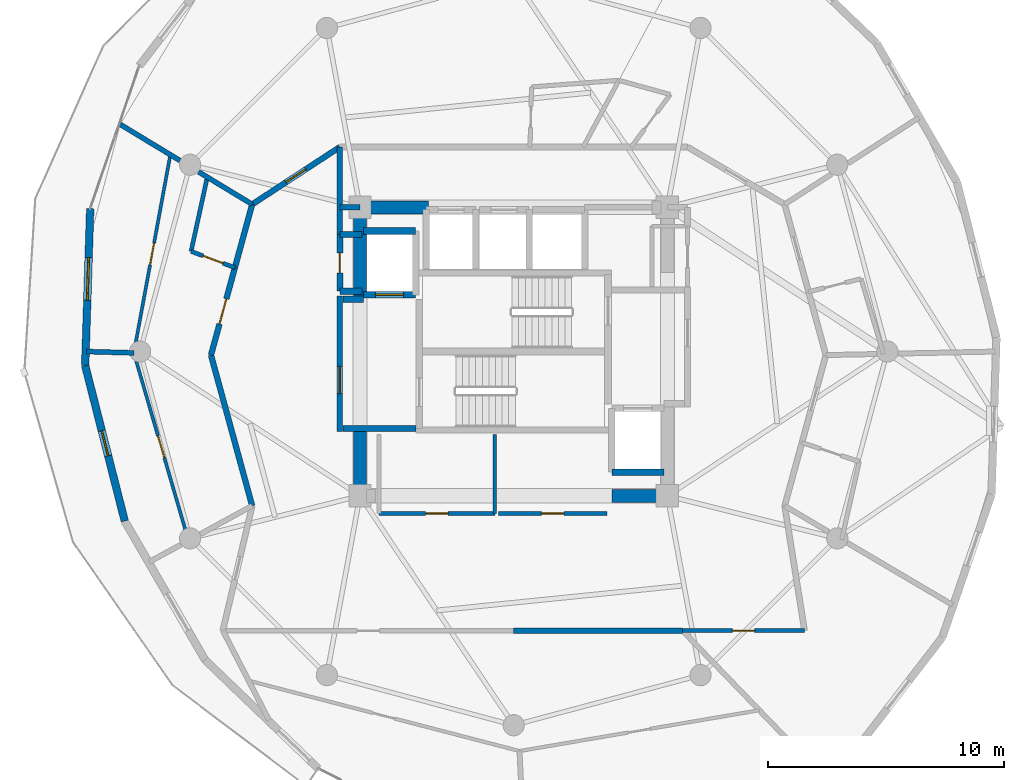
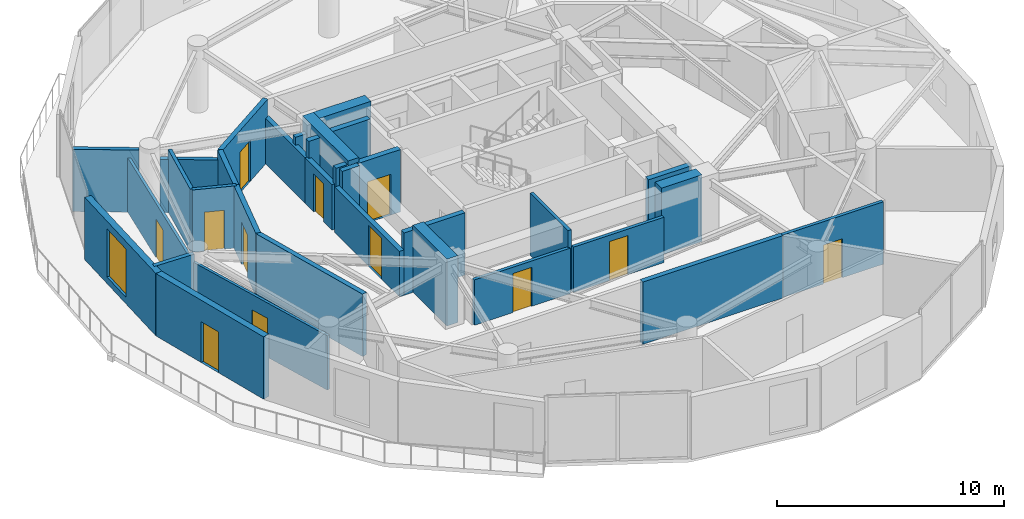
# One storey, part 15 of 19: 33 walls, 12 doors, 1 window, 13 openings.
"""IFC4 building model written with IfcOpenShell, lengths in metres."""

from ifc_helpers import new_model, si_unit, direction, frame, frame_2d, origin, place, context, subcontext, project, spatial, rectangle, extrude, material, layer, layer_set, type_object, element, fill, save


model = new_model("IFC4")

# Units and contexts
model_context = context("Model", 3, precision=1e-05, world=origin(), true_north=direction((0.0, 1.0)))
body_context = subcontext(model_context, "Body", "Model", "MODEL_VIEW")
ifc_project = project(units=[si_unit("LENGTHUNIT", "METRE"), si_unit("AREAUNIT", "SQUARE_METRE"), si_unit("VOLUMEUNIT", "CUBIC_METRE"), si_unit("PLANEANGLEUNIT", "RADIAN"), si_unit("MASSUNIT", "GRAM", prefix="KILO")], contexts=[model_context])

# Site, building, storey
site_placement = place(None, origin())
site = spatial("IfcSite", under=ifc_project, at=site_placement, CompositionType="ELEMENT")
building_placement = place(site_placement, origin())
building = spatial("IfcBuilding", under=site, at=building_placement, Name="Solvirekh Grand Hotel", CompositionType="ELEMENT")
storey_placement = place(building_placement, frame((0.0, 0.0, 212.800048828125)))
storey = spatial("IfcBuildingStorey", under=building, at=storey_placement, Name="L55", CompositionType="ELEMENT", Elevation=212.800048828125)

# Wall, opening, door
ifc_material_1 = material(Name="Concrete C40/50", Category="concrete")
ifc_layer_1 = layer(ifc_material_1, 0.280029296875)
ifc_layer_set_1 = layer_set([ifc_layer_1], Name="Concrete C40/50")
wall_type_1 = type_object("IfcWallType", Name="CoreShaftWall_RC280", PredefinedType="SOLIDWALL", material=ifc_layer_set_1)
wall_1_placement = place(storey_placement, frame((-6.35009765625, 2.39990234375, 0.0), z_axis=(0.0, 0.0, 1.0), x_axis=(1.0, 0.0, 0.0)))
wall_1 = element("IfcWall", 1, at=wall_1_placement, inside=storey, type_object=wall_type_1, Name="L55 FL-1 hoistway S wall", PredefinedType="SOLIDWALL", context=body_context, shape_type="SweptSolid", body=[
    extrude(rectangle(XDim=2.2001953125, YDim=0.280029296875, at=frame_2d((1.10009765625, 0.0))), origin(), (0.0, 0.0, 1.0), 3.35986328125),
])
opening_1_placement = place(wall_1_placement, frame((0.5, 0.0, 0.0)))
opening_1 = element("IfcOpeningElement", 2, at=opening_1_placement, cuts=wall_1, Name="Opening LD02", PredefinedType="OPENING", context=body_context, shape_type="SweptSolid", body=[
    extrude(rectangle(XDim=1.199951171875, YDim=2.199951171875, at=frame_2d((0.60009765625, 1.10009765625))), frame((0.0, 0.14990234375, 0.0), z_axis=(0.0, -1.0, 0.0), x_axis=(1.0, 0.0, 0.0)), (0.0, 0.0, 1.0), 0.300048828125),
])
ifc_material_2 = material(Name="Fire-Rated Steel Door Assembly", Category="steel")
door_type_1 = type_object("IfcDoorType", Name="Door_LiftFF_1200X2200", OperationType="SLIDING_TO_LEFT", PredefinedType="DOOR", material=ifc_material_2)
door_1_placement = place(opening_1_placement, origin())
door_1 = element("IfcDoor", 3, at=door_1_placement, inside=storey, type_object=door_type_1, Name="L55 FL-1 sliding lift landing door", OperationType="SLIDING_TO_LEFT", OverallHeight=2.199951171875, OverallWidth=1.199951171875, PredefinedType="DOOR", context=body_context, shape_type="SweptSolid", body=[
    extrude(rectangle(XDim=1.199951171875, YDim=2.199951171875, at=frame_2d((0.60009765625, 1.10009765625))), frame((0.0, 0.02490234375, 0.0), z_axis=(0.0, -1.0, 0.0), x_axis=(1.0, 0.0, 0.0)), (0.0, 0.0, 1.0), 0.050048828125),
])
fill(opening_1, door_1)

# Walls
for number, where, z_axis, x_axis, name in (
    (4, (-4.14990234375, 5.10009765625, 0.0), (0.0, 0.0, 1.0), (-1.0, 0.0, 0.0), "L55 FL-1 hoistway N wall"),
    (5, (4.14990234375, -5.10009765625, 0.0), (0.0, 0.0, 1.0), (1.0, 0.0, 0.0), "L55 FL-2 hoistway S wall"),
):
    element("IfcWall", number, at=place(storey_placement, frame(where, z_axis=z_axis, x_axis=x_axis)), inside=storey, type_object=wall_type_1, Name=name, PredefinedType="SOLIDWALL", context=body_context, shape_type="SweptSolid", body=[
        extrude(rectangle(XDim=2.2001953125, YDim=0.280029296875, at=frame_2d((1.10009765625, 0.0))), origin(), (0.0, 0.0, 1.0), 3.35986328125),
    ])
ifc_material_3 = material(Name="Concrete C50/60", Category="concrete")
ifc_layer_2 = layer(ifc_material_3, 0.550048828125)
ifc_layer_set_2 = layer_set([ifc_layer_2], Name="Concrete C50/60")
wall_type_2 = type_object("IfcWallType", Name="CoreWall_RC550", PredefinedType="SHEAR", material=ifc_layer_set_2)
wall_2_placement = place(storey_placement, frame((4.14990234375, -6.10009765625, 0.0), z_axis=(0.0, 0.0, 1.0), x_axis=(1.0, 0.0, 0.0)))
element("IfcWall", 6, at=wall_2_placement, inside=storey, type_object=wall_type_2, Name="L55 core corner shear wall SE-S", PredefinedType="SHEAR", context=body_context, shape_type="SweptSolid", body=[
    extrude(rectangle(XDim=2.0751953125, YDim=0.550048828125, at=frame_2d((1.03759765625, 0.0))), origin(), (0.0, 0.0, 1.0), 3.599853515625),
])
wall_3_placement = place(storey_placement, frame((-6.22509765625, 6.10009765625, 0.0), z_axis=(0.0, 0.0, 1.0), x_axis=(1.0, 0.0, 0.0)))
element("IfcWall", 7, at=wall_3_placement, inside=storey, type_object=wall_type_2, Name="L55 core corner shear wall NW-N", PredefinedType="SHEAR", context=body_context, shape_type="SweptSolid", body=[
    extrude(rectangle(XDim=2.625, YDim=0.550048828125, at=frame_2d((1.3125, 0.0))), origin(), (0.0, 0.0, 1.0), 3.599853515625),
])
wall_4_placement = place(storey_placement, frame((-6.5, 2.35009765625, 0.0), z_axis=(0.0, 0.0, 1.0), x_axis=(0.0, 1.0, 0.0)))
element("IfcWall", 8, at=wall_4_placement, inside=storey, type_object=wall_type_2, Name="L55 core corner shear wall WN-W", PredefinedType="SHEAR", context=body_context, shape_type="SweptSolid", body=[
    extrude(rectangle(XDim=4.02490234375, YDim=0.550048828125, at=frame_2d((2.012451171875, 0.0))), origin(), (0.0, 0.0, 1.0), 3.599853515625),
])
wall_5_placement = place(storey_placement, frame((-6.5, -6.375, 0.0), z_axis=(0.0, 0.0, 1.0), x_axis=(0.0, 1.0, 0.0)))
element("IfcWall", 9, at=wall_5_placement, inside=storey, type_object=wall_type_2, Name="L55 core corner shear wall WS-W", PredefinedType="SHEAR", context=body_context, shape_type="SweptSolid", body=[
    extrude(rectangle(XDim=3.02490234375, YDim=0.550048828125, at=frame_2d((1.512451171875, 0.0))), origin(), (0.0, 0.0, 1.0), 3.599853515625),
])

# Wall, opening, window
ifc_material_4 = material(Name="Precast concrete C45/55", Category="concrete")
ifc_layer_3 = layer(ifc_material_4, 0.320068359375)
ifc_layer_set_3 = layer_set([ifc_layer_3], Name="Precast concrete C45/55")
wall_type_3 = type_object("IfcWallType", Name="ExtLobbyWall_RC320", PredefinedType="SOLIDWALL", material=ifc_layer_set_3)
wall_6_placement = place(storey_placement, frame((-18.1201171875, -0.591064453125, 0.0), z_axis=(0.0, 0.0, 1.0), x_axis=(0.031968634483, 0.999488872579, 0.0)))
wall_6 = element("IfcWall", 10, at=wall_6_placement, inside=storey, type_object=wall_type_3, Name="L55 exterior structural wall chord 14", PredefinedType="SOLIDWALL", context=body_context, shape_type="SweptSolid", body=[
    extrude(rectangle(XDim=6.636474609375, YDim=0.320068359375, at=frame_2d((3.318359375, 0.0))), origin(), (0.0, 0.0, 1.0), 3.35986328125),
])
opening_2_placement = place(wall_6_placement, frame((2.763916015625, 0.0, 0.35009765625)))
opening_2 = element("IfcOpeningElement", 11, at=opening_2_placement, cuts=wall_6, Name="Opening W02", PredefinedType="OPENING", context=body_context, shape_type="SweptSolid", body=[
    extrude(rectangle(XDim=1.800048828125, YDim=2.60009765625, at=frame_2d((0.89990234375, 1.300048828125))), frame((0.0, 0.169921875, 0.0), z_axis=(0.0, -1.0, 0.0), x_axis=(1.0, 0.0, 0.0)), (0.0, 0.0, 1.0), 0.340087890625),
])
ifc_material_5 = material(Name="Low-E Tinted Bronze Laminated Glass", Category="aluminium")
window_type = type_object("IfcWindowType", Name="Win_LobbyExt_1800X2600", PartitioningType="SINGLE_PANEL", PredefinedType="WINDOW", material=ifc_material_5)
window_placement = place(opening_2_placement, origin())
window = element("IfcWindow", 12, at=window_placement, inside=storey, type_object=window_type, Name="L55 panoramic bronze-framed window 14", OverallHeight=2.60009765625, OverallWidth=1.800048828125, PartitioningType="SINGLE_PANEL", PredefinedType="WINDOW", context=body_context, shape_type="SweptSolid", body=[
    extrude(rectangle(XDim=1.800048828125, YDim=2.60009765625, at=frame_2d((0.89990234375, 1.300048828125))), frame((0.0, 0.030029296875, 0.0), z_axis=(0.0, -1.0, 0.0), x_axis=(1.0, 0.0, 0.0)), (0.0, 0.0, 1.0), 0.06005859375),
])
fill(opening_2, window)

# Wall, opening, door
wall_7_placement = place(storey_placement, frame((-16.447021484375, -7.1669921875, 0.0), z_axis=(0.0, 0.0, 1.0), x_axis=(-0.246571763235, 0.969124535638, 0.0)))
wall_7 = element("IfcWall", 13, at=wall_7_placement, inside=storey, type_object=wall_type_3, Name="L55 exterior structural wall chord 15", PredefinedType="SOLIDWALL", context=body_context, shape_type="SweptSolid", body=[
    extrude(rectangle(XDim=6.785400390625, YDim=0.320068359375, at=frame_2d((3.392578125, 0.0))), origin(), (0.0, 0.0, 1.0), 3.35986328125),
])
opening_3_placement = place(wall_7_placement, frame((2.843017578125, 0.0, 0.0)))
opening_3 = element("IfcOpeningElement", 14, at=opening_3_placement, cuts=wall_7, Name="Opening D03", PredefinedType="OPENING", context=body_context, shape_type="SweptSolid", body=[
    extrude(rectangle(XDim=1.10009765625, YDim=2.199951171875, at=frame_2d((0.550048828125, 1.10009765625))), frame((0.0, 0.169921875, 0.0), z_axis=(0.0, -1.0, 0.0), x_axis=(1.0, 0.0, 0.0)), (0.0, 0.0, 1.0), 0.340087890625),
])
ifc_material_6 = material(Name="Anodized Bronze Aluminium 6063-T6", Category="aluminium")
door_type_2 = type_object("IfcDoorType", Name="Door_ExtBalcony_1100X2200", OperationType="NOTDEFINED", PredefinedType="DOOR", material=ifc_material_6)
door_2_placement = place(opening_3_placement, origin())
door_2 = element("IfcDoor", 15, at=door_2_placement, inside=storey, type_object=door_type_2, Name="L55 Crescent balcony glazed door (15)", OperationType="SINGLE_SWING_LEFT", OverallHeight=2.199951171875, OverallWidth=1.10009765625, PredefinedType="DOOR", context=body_context, shape_type="SweptSolid", body=[
    extrude(rectangle(XDim=1.10009765625, YDim=2.199951171875, at=frame_2d((0.550048828125, 1.10009765625))), frame((0.0, 0.02490234375, 0.0), z_axis=(0.0, -1.0, 0.0), x_axis=(1.0, 0.0, 0.0)), (0.0, 0.0, 1.0), 0.050048828125),
])
fill(opening_3, door_2)

ifc_material_7 = material(Name="Acoustic Gypsum Partition Assembly")
ifc_layer_4 = layer(ifc_material_7, 0.1650390625)
ifc_layer_set_4 = layer_set([ifc_layer_4], Name="Acoustic Gypsum Partition Assembly")
wall_type_4 = type_object("IfcWallType", Name="Part_BOH_165", PredefinedType="PARTITIONING", material=ifc_layer_set_4)
wall_8_placement = place(storey_placement, frame((-5.699951171875, -6.85009765625, 0.0), z_axis=(0.0, 0.0, 1.0), x_axis=(1.0, 0.0, 0.0)))
wall_8 = element("IfcWall", 16, at=wall_8_placement, inside=storey, type_object=wall_type_4, Name="L55 High-Zone Housekeeping Linen Room wall 1", PredefinedType="PARTITIONING", context=body_context, shape_type="SweptSolid", body=[
    extrude(rectangle(XDim=4.89990234375, YDim=0.1650390625, at=frame_2d((2.449951171875, 0.0))), origin(), (0.0, 0.0, 1.0), 2.445068359375),
])
opening_4_placement = place(wall_8_placement, frame((1.97509765625, 0.0, 0.0)))
opening_4 = element("IfcOpeningElement", 17, at=opening_4_placement, cuts=wall_8, Name="Opening D10", PredefinedType="OPENING", context=body_context, shape_type="SweptSolid", body=[
    extrude(rectangle(XDim=0.949951171875, YDim=2.10009765625, at=frame_2d((0.47509765625, 1.050048828125))), frame((0.0, 0.092529296875, 0.0), z_axis=(0.0, -1.0, 0.0), x_axis=(1.0, 0.0, 0.0)), (0.0, 0.0, 1.0), 0.18505859375),
])
door_type_3 = type_object("IfcDoorType", Name="Door_RoomInt_950X2100", OperationType="NOTDEFINED", PredefinedType="DOOR", material=ifc_material_6)
door_3_placement = place(opening_4_placement, origin())
door_3 = element("IfcDoor", 18, at=door_3_placement, inside=storey, type_object=door_type_3, Name="L55 High-Zone Housekeeping Linen Room door", OperationType="SINGLE_SWING_RIGHT", OverallHeight=2.10009765625, OverallWidth=0.949951171875, PredefinedType="DOOR", context=body_context, shape_type="SweptSolid", body=[
    extrude(rectangle(XDim=0.949951171875, YDim=2.10009765625, at=frame_2d((0.47509765625, 1.050048828125))), frame((0.0, 0.02490234375, 0.0), z_axis=(0.0, -1.0, 0.0), x_axis=(1.0, 0.0, 0.0)), (0.0, 0.0, 1.0), 0.050048828125),
])
fill(opening_4, door_3)

# Wall
wall_9_placement = place(storey_placement, frame((-0.800048828125, -6.85009765625, 0.0), z_axis=(0.0, 0.0, 1.0), x_axis=(0.0, 1.0, 0.0)))
element("IfcWall", 19, at=wall_9_placement, inside=storey, type_object=wall_type_4, Name="L55 High-Zone Housekeeping Linen Room wall 2", PredefinedType="PARTITIONING", context=body_context, shape_type="SweptSolid", body=[
    extrude(rectangle(XDim=3.35009765625, YDim=0.1650390625, at=frame_2d((1.675048828125, 0.0))), origin(), (0.0, 0.0, 1.0), 3.35986328125),
])

# Wall, opening, door
wall_10_placement = place(storey_placement, frame((-0.64990234375, -6.85009765625, 0.0), z_axis=(0.0, 0.0, 1.0), x_axis=(1.0, 0.0, 0.0)))
wall_10 = element("IfcWall", 20, at=wall_10_placement, inside=storey, type_object=wall_type_4, Name="L55 Butler Valet Steward Room wall 1", PredefinedType="PARTITIONING", context=body_context, shape_type="SweptSolid", body=[
    extrude(rectangle(XDim=4.599853515625, YDim=0.1650390625, at=frame_2d((2.2998046875, 0.0))), origin(), (0.0, 0.0, 1.0), 2.445068359375),
])
opening_5_placement = place(wall_10_placement, frame((1.824951171875, 0.0, 0.0)))
opening_5 = element("IfcOpeningElement", 21, at=opening_5_placement, cuts=wall_10, Name="Opening D10", PredefinedType="OPENING", context=body_context, shape_type="SweptSolid", body=[
    extrude(rectangle(XDim=0.949951171875, YDim=2.10009765625, at=frame_2d((0.47509765625, 1.050048828125))), frame((0.0, 0.092529296875, 0.0), z_axis=(0.0, -1.0, 0.0), x_axis=(1.0, 0.0, 0.0)), (0.0, 0.0, 1.0), 0.18505859375),
])
door_4_placement = place(opening_5_placement, origin())
door_4 = element("IfcDoor", 22, at=door_4_placement, inside=storey, type_object=door_type_3, Name="L55 Butler Valet Steward Room door", OperationType="SINGLE_SWING_LEFT", OverallHeight=2.10009765625, OverallWidth=0.949951171875, PredefinedType="DOOR", context=body_context, shape_type="SweptSolid", body=[
    extrude(rectangle(XDim=0.949951171875, YDim=2.10009765625, at=frame_2d((0.47509765625, 1.050048828125))), frame((0.0, 0.02490234375, 0.0), z_axis=(0.0, -1.0, 0.0), x_axis=(1.0, 0.0, 0.0)), (0.0, 0.0, 1.0), 0.050048828125),
])
fill(opening_5, door_4)

wall_11_placement = place(storey_placement, frame((7.134033203125, -11.800048828125, 0.0), z_axis=(0.0, 0.0, 1.0), x_axis=(1.0, 0.0, 0.0)))
wall_11 = element("IfcWall", 23, at=wall_11_placement, inside=storey, type_object=wall_type_4, Name="L55 L55 Butler Valet & Linen Steward Room entrance wall", PredefinedType="PARTITIONING", context=body_context, shape_type="SweptSolid", body=[
    extrude(rectangle(XDim=5.166015625, YDim=0.1650390625, at=frame_2d((2.5830078125, 0.0))), origin(), (0.0, 0.0, 1.0), 3.35986328125),
])
opening_6_placement = place(wall_11_placement, frame((2.10791015625, 0.0, 0.0)))
opening_6 = element("IfcOpeningElement", 24, at=opening_6_placement, cuts=wall_11, Name="Opening D10", PredefinedType="OPENING", context=body_context, shape_type="SweptSolid", body=[
    extrude(rectangle(XDim=0.949951171875, YDim=2.10009765625, at=frame_2d((0.47509765625, 1.050048828125))), frame((0.0, 0.092529296875, 0.0), z_axis=(0.0, -1.0, 0.0), x_axis=(1.0, 0.0, 0.0)), (0.0, 0.0, 1.0), 0.18505859375),
])
door_5_placement = place(opening_6_placement, origin())
door_5 = element("IfcDoor", 25, at=door_5_placement, inside=storey, type_object=door_type_3, Name="L55 L55 Butler Valet & Linen Steward Room entrance door", OperationType="SINGLE_SWING_RIGHT", OverallHeight=2.10009765625, OverallWidth=0.949951171875, PredefinedType="DOOR", context=body_context, shape_type="SweptSolid", body=[
    extrude(rectangle(XDim=0.949951171875, YDim=2.10009765625, at=frame_2d((0.47509765625, 1.050048828125))), frame((0.0, 0.02490234375, 0.0), z_axis=(0.0, -1.0, 0.0), x_axis=(1.0, 0.0, 0.0)), (0.0, 0.0, 1.0), 0.050048828125),
])
fill(opening_6, door_5)

ifc_layer_5 = layer(ifc_material_7, 0.239990234375)
ifc_layer_set_5 = layer_set([ifc_layer_5], Name="Acoustic Gypsum Partition Assembly")
wall_type_5 = type_object("IfcWallType", Name="Part_Corridor_240", PredefinedType="PARTITIONING", material=ifc_layer_set_5)
wall_12_placement = place(storey_placement, frame((-7.35009765625, -3.3798828125, 0.0), z_axis=(0.0, 0.0, 1.0), x_axis=(0.0, 1.0, 0.0)))
wall_12 = element("IfcWall", 26, at=wall_12_placement, inside=storey, type_object=wall_type_5, Name="L55 west firefighting lobby smoke screen wall", PredefinedType="PARTITIONING", context=body_context, shape_type="SweptSolid", body=[
    extrude(rectangle(XDim=5.719970703125, YDim=0.239990234375, at=frame_2d((2.85986328125, 0.0))), origin(), (0.0, 0.0, 1.0), 2.445068359375),
])
opening_7_placement = place(wall_12_placement, frame((1.59912109375, 0.0, 0.0)))
opening_7 = element("IfcOpeningElement", 27, at=opening_7_placement, cuts=wall_12, Name="Opening D06", PredefinedType="OPENING", context=body_context, shape_type="SweptSolid", body=[
    extrude(rectangle(XDim=1.14990234375, YDim=2.199951171875, at=frame_2d((0.574951171875, 1.10009765625))), frame((0.0, 0.1298828125, 0.0), z_axis=(0.0, -1.0, 0.0), x_axis=(1.0, 0.0, 0.0)), (0.0, 0.0, 1.0), 0.260009765625),
])
door_type_4 = type_object("IfcDoorType", Name="Door_FFLobby_1150X2200", OperationType="NOTDEFINED", PredefinedType="DOOR", material=ifc_material_2)
door_6_placement = place(opening_7_placement, origin())
door_6 = element("IfcDoor", 28, at=door_6_placement, inside=storey, type_object=door_type_4, Name="L55 west firefighting lobby smoke door", OperationType="SINGLE_SWING_RIGHT", OverallHeight=2.199951171875, OverallWidth=1.14990234375, PredefinedType="DOOR", context=body_context, shape_type="SweptSolid", body=[
    extrude(rectangle(XDim=1.14990234375, YDim=2.199951171875, at=frame_2d((0.574951171875, 1.10009765625))), frame((0.0, 0.02490234375, 0.0), z_axis=(0.0, -1.0, 0.0), x_axis=(1.0, 0.0, 0.0)), (0.0, 0.0, 1.0), 0.050048828125),
])
fill(opening_7, door_6)

# Walls
wall_13_placement = place(storey_placement, frame((-7.35009765625, 4.949951171875, 0.0), z_axis=(0.0, 0.0, 1.0), x_axis=(0.0, 1.0, 0.0)))
element("IfcWall", 29, at=wall_13_placement, inside=storey, type_object=wall_type_5, Name="L55 north lift lobby west wall", PredefinedType="PARTITIONING", context=body_context, shape_type="SweptSolid", body=[
    extrude(rectangle(XDim=3.699951171875, YDim=0.239990234375, at=frame_2d((1.85009765625, 0.0))), origin(), (0.0, 0.0, 1.0), 2.445068359375),
])
wall_14_placement = place(storey_placement, frame((-7.35009765625, 6.10009765625, 0.0), z_axis=(0.0, 0.0, 1.0), x_axis=(1.0, 0.0, 0.0)))
element("IfcWall", 30, at=wall_14_placement, inside=storey, type_object=wall_type_5, Name="L55 NW core corner closure wall", PredefinedType="PARTITIONING", context=body_context, shape_type="SweptSolid", body=[
    extrude(rectangle(XDim=0.85009765625, YDim=0.239990234375, at=frame_2d((0.425048828125, 0.0))), origin(), (0.0, 0.0, 1.0), 2.8759765625),
])

# Wall, opening, door
wall_15_placement = place(storey_placement, frame((-11.05810546875, 6.22509765625, 0.0), z_axis=(0.0, 0.0, 1.0), x_axis=(0.83693466485, 0.547302810857, 0.0)))
wall_15 = element("IfcWall", 31, at=wall_15_placement, inside=storey, type_object=wall_type_5, Name="L55 Panorama Suite 5702 entrance wall", PredefinedType="PARTITIONING", context=body_context, shape_type="SweptSolid", body=[
    extrude(rectangle(XDim=4.430419921875, YDim=0.239990234375, at=frame_2d((2.21533203125, 0.0))), origin(), (0.0, 0.0, 1.0), 3.35986328125),
])
opening_8_placement = place(wall_15_placement, frame((1.715087890625, 0.0, 0.0)))
opening_8 = element("IfcOpeningElement", 32, at=opening_8_placement, cuts=wall_15, Name="Opening D07", PredefinedType="OPENING", context=body_context, shape_type="SweptSolid", body=[
    extrude(rectangle(XDim=1.0, YDim=2.199951171875, at=frame_2d((0.5, 1.10009765625))), frame((0.0, 0.1298828125, 0.0), z_axis=(0.0, -1.0, 0.0), x_axis=(1.0, 0.0, 0.0)), (0.0, 0.0, 1.0), 0.260009765625),
])
door_type_5 = type_object("IfcDoorType", Name="Door_GuestEntry_1000X2200", OperationType="NOTDEFINED", PredefinedType="DOOR", material=ifc_material_2)
door_7_placement = place(opening_8_placement, origin())
door_7 = element("IfcDoor", 33, at=door_7_placement, inside=storey, type_object=door_type_5, Name="L55 Panorama Suite 5702 entrance door", OperationType="SINGLE_SWING_LEFT", OverallHeight=2.199951171875, OverallWidth=1.0, PredefinedType="DOOR", context=body_context, shape_type="SweptSolid", body=[
    extrude(rectangle(XDim=1.0, YDim=2.199951171875, at=frame_2d((0.5, 1.10009765625))), frame((0.0, 0.02490234375, 0.0), z_axis=(0.0, -1.0, 0.0), x_axis=(1.0, 0.0, 0.0)), (0.0, 0.0, 1.0), 0.050048828125),
])
fill(opening_8, door_7)

# Walls
wall_16_placement = place(storey_placement, frame((-11.05810546875, 6.22509765625, 0.0), z_axis=(0.0, 0.0, 1.0), x_axis=(-0.263645685939, -0.964619589416, 0.0)))
element("IfcWall", 34, at=wall_16_placement, inside=storey, type_object=wall_type_5, Name="L55 En-suite Bathroom 5703 corridor backing wall", PredefinedType="PARTITIONING", context=body_context, shape_type="SweptSolid", body=[
    extrude(rectangle(XDim=2.776123046875, YDim=0.239990234375, at=frame_2d((1.38818359375, 0.0))), origin(), (0.0, 0.0, 1.0), 3.35986328125),
])
wall_17_placement = place(storey_placement, frame((-12.800048828125, -0.14990234375, 0.0), z_axis=(0.0, 0.0, 1.0), x_axis=(0.263583131966, -0.96463668422, 0.0)))
element("IfcWall", 35, at=wall_17_placement, inside=storey, type_object=wall_type_5, Name="L55 Executive Suite 5703 Living Room corridor wall 1", PredefinedType="PARTITIONING", context=body_context, shape_type="SweptSolid", body=[
    extrude(rectangle(XDim=6.608642578125, YDim=0.239990234375, at=frame_2d((3.30419921875, 0.0))), origin(), (0.0, 0.0, 1.0), 3.35986328125),
])

# Wall, opening, door
wall_18_placement = place(storey_placement, frame((-11.7900390625, 3.547119140625, 0.0), z_axis=(0.0, 0.0, 1.0), x_axis=(-0.263537818226, -0.964649064875, 0.0)))
wall_18 = element("IfcWall", 36, at=wall_18_placement, inside=storey, type_object=wall_type_5, Name="L55 Executive Suite 5703 Living Room entrance wall", PredefinedType="PARTITIONING", context=body_context, shape_type="SweptSolid", body=[
    extrude(rectangle(XDim=3.83251953125, YDim=0.239990234375, at=frame_2d((1.916259765625, 0.0))), origin(), (0.0, 0.0, 1.0), 3.35986328125),
])
opening_9_placement = place(wall_18_placement, frame((1.365966796875, 0.0, 0.0)))
opening_9 = element("IfcOpeningElement", 37, at=opening_9_placement, cuts=wall_18, Name="Opening D08", PredefinedType="OPENING", context=body_context, shape_type="SweptSolid", body=[
    extrude(rectangle(XDim=1.10009765625, YDim=2.300048828125, at=frame_2d((0.550048828125, 1.14990234375))), frame((0.0, 0.1298828125, 0.0), z_axis=(0.0, -1.0, 0.0), x_axis=(1.0, 0.0, 0.0)), (0.0, 0.0, 1.0), 0.260009765625),
])
door_type_6 = type_object("IfcDoorType", Name="Door_SuiteEntry_1100X2300", OperationType="NOTDEFINED", PredefinedType="DOOR", material=ifc_material_2)
door_8_placement = place(opening_9_placement, origin())
door_8 = element("IfcDoor", 38, at=door_8_placement, inside=storey, type_object=door_type_6, Name="L55 Executive Suite 5703 Living Room entrance door", OperationType="SINGLE_SWING_LEFT", OverallHeight=2.300048828125, OverallWidth=1.10009765625, PredefinedType="DOOR", context=body_context, shape_type="SweptSolid", body=[
    extrude(rectangle(XDim=1.10009765625, YDim=2.300048828125, at=frame_2d((0.550048828125, 1.14990234375))), frame((0.0, 0.02490234375, 0.0), z_axis=(0.0, -1.0, 0.0), x_axis=(1.0, 0.0, 0.0)), (0.0, 0.0, 1.0), 0.050048828125),
])
fill(opening_9, door_8)

# Walls
wall_19_placement = place(storey_placement, frame((0.0, -11.800048828125, 0.0), z_axis=(0.0, 0.0, 1.0), x_axis=(1.0, 0.0, 0.0)))
element("IfcWall", 39, at=wall_19_placement, inside=storey, type_object=wall_type_5, Name="L55 L55 Bespoke Atelier Room corridor wall 1", PredefinedType="PARTITIONING", context=body_context, shape_type="SweptSolid", body=[
    extrude(rectangle(XDim=7.134033203125, YDim=0.239990234375, at=frame_2d((3.56689453125, 0.0))), origin(), (0.0, 0.0, 1.0), 3.35986328125),
])
ifc_layer_6 = layer(ifc_material_7, 0.260009765625)
ifc_layer_set_6 = layer_set([ifc_layer_6], Name="Acoustic Gypsum Partition Assembly")
wall_type_6 = type_object("IfcWallType", Name="Part_LobbyFF_260", PredefinedType="PARTITIONING", material=ifc_layer_set_6)
wall_20_placement = place(storey_placement, frame((-7.22509765625, -3.25, 0.0), z_axis=(0.0, 0.0, 1.0), x_axis=(1.0, 0.0, 0.0)))
element("IfcWall", 40, at=wall_20_placement, inside=storey, type_object=wall_type_6, Name="L55 west firefighting lobby south partition", PredefinedType="PARTITIONING", context=body_context, shape_type="SweptSolid", body=[
    extrude(rectangle(XDim=3.09521484375, YDim=0.260009765625, at=frame_2d((1.547607421875, 0.0))), origin(), (0.0, 0.0, 1.0), 3.35986328125),
])
wall_21_placement = place(storey_placement, frame((-7.22509765625, 2.2099609375, 0.0), z_axis=(0.0, 0.0, 1.0), x_axis=(1.0, 0.0, 0.0)))
element("IfcWall", 41, at=wall_21_placement, inside=storey, type_object=wall_type_6, Name="L55 west firefighting lobby NW cheek", PredefinedType="PARTITIONING", context=body_context, shape_type="SweptSolid", body=[
    extrude(rectangle(XDim=0.875, YDim=0.260009765625, at=frame_2d((0.4375, 0.0))), origin(), (0.0, 0.0, 1.0), 3.35986328125),
])
for number, where, z_axis, x_axis, name in (
    (42, (-7.35009765625, 4.949951171875, 0.0), (0.0, 0.0, 1.0), (1.0, 0.0, 0.0), "L55 NW telecom metering cupboard north wall"),
    (43, (-7.35009765625, 2.550048828125, 0.0), (0.0, 0.0, 1.0), (1.0, 0.0, 0.0), "L55 NW telecom metering cupboard south wall"),
):
    element("IfcWall", number, at=place(storey_placement, frame(where, z_axis=z_axis, x_axis=x_axis)), inside=storey, type_object=wall_type_6, Name=name, PredefinedType="PARTITIONING", context=body_context, shape_type="SweptSolid", body=[
        extrude(rectangle(XDim=0.93017578125, YDim=0.260009765625, at=frame_2d((0.465087890625, 0.0))), origin(), (0.0, 0.0, 1.0), 3.35986328125),
    ])

# Wall, opening, door
wall_22_placement = place(storey_placement, frame((-7.35009765625, 2.550048828125, 0.0), z_axis=(0.0, 0.0, 1.0), x_axis=(0.0, 1.0, 0.0)))
wall_22 = element("IfcWall", 44, at=wall_22_placement, inside=storey, type_object=wall_type_6, Name="L55 NW telecom metering cupboard access wall", PredefinedType="PARTITIONING", context=body_context, shape_type="SweptSolid", body=[
    extrude(rectangle(XDim=2.39990234375, YDim=0.260009765625, at=frame_2d((1.199951171875, 0.0))), origin(), (0.0, 0.0, 1.0), 2.445068359375),
])
opening_10_placement = place(wall_22_placement, frame((0.77490234375, 0.0, 0.0)))
opening_10 = element("IfcOpeningElement", 45, at=opening_10_placement, cuts=wall_22, Name="Opening D13", PredefinedType="OPENING", context=body_context, shape_type="SweptSolid", body=[
    extrude(rectangle(XDim=0.85009765625, YDim=2.050048828125, at=frame_2d((0.425048828125, 1.02490234375))), frame((0.0, 0.14013671875, 0.0), z_axis=(0.0, -1.0, 0.0), x_axis=(1.0, 0.0, 0.0)), (0.0, 0.0, 1.0), 0.280029296875),
])
door_type_7 = type_object("IfcDoorType", Name="Door_RiserShaft_850X2050", OperationType="NOTDEFINED", PredefinedType="DOOR", material=ifc_material_2)
door_9_placement = place(opening_10_placement, origin())
door_9 = element("IfcDoor", 46, at=door_9_placement, inside=storey, type_object=door_type_7, Name="L55 telecom metering cupboard access door", OperationType="SINGLE_SWING_RIGHT", OverallHeight=2.050048828125, OverallWidth=0.85009765625, PredefinedType="DOOR", context=body_context, shape_type="SweptSolid", body=[
    extrude(rectangle(XDim=0.85009765625, YDim=2.050048828125, at=frame_2d((0.425048828125, 1.02490234375))), frame((0.0, 0.02490234375, 0.0), z_axis=(0.0, -1.0, 0.0), x_axis=(1.0, 0.0, 0.0)), (0.0, 0.0, 1.0), 0.050048828125),
])
fill(opening_10, door_9)

ifc_layer_7 = layer(ifc_material_7, 0.135009765625)
ifc_layer_set_7 = layer_set([ifc_layer_7], Name="Acoustic Gypsum Partition Assembly")
wall_type_7 = type_object("IfcWallType", Name="Part_RoomInt_135", PredefinedType="PARTITIONING", material=ifc_layer_set_7)
wall_23_placement = place(storey_placement, frame((-14.51904296875, 8.322021484375, 0.0), z_axis=(0.0, 0.0, 1.0), x_axis=(-0.181104081298, -0.983463935148, 0.0)))
wall_23 = element("IfcWall", 47, at=wall_23_placement, inside=storey, type_object=wall_type_7, Name="L55 Executive Suite 5703 Living Room bedroom screen wall", PredefinedType="PARTITIONING", context=body_context, shape_type="SweptSolid", body=[
    extrude(rectangle(XDim=8.519775390625, YDim=0.135009765625, at=frame_2d((4.259765625, 0.0))), origin(), (0.0, 0.0, 1.0), 2.928955078125),
])
opening_11_placement = place(wall_23_placement, frame((3.784912109375, 0.0, 0.0)))
opening_11 = element("IfcOpeningElement", 48, at=opening_11_placement, cuts=wall_23, Name="Opening D10", PredefinedType="OPENING", context=body_context, shape_type="SweptSolid", body=[
    extrude(rectangle(XDim=0.949951171875, YDim=2.10009765625, at=frame_2d((0.47509765625, 1.050048828125))), frame((0.0, 0.07763671875, 0.0), z_axis=(0.0, -1.0, 0.0), x_axis=(1.0, 0.0, 0.0)), (0.0, 0.0, 1.0), 0.155029296875),
])
door_10_placement = place(opening_11_placement, origin())
door_10 = element("IfcDoor", 49, at=door_10_placement, inside=storey, type_object=door_type_3, Name="L55 Executive Suite 5703 Living Room master bedroom door", OperationType="SINGLE_SWING_RIGHT", OverallHeight=2.10009765625, OverallWidth=0.949951171875, PredefinedType="DOOR", context=body_context, shape_type="SweptSolid", body=[
    extrude(rectangle(XDim=0.949951171875, YDim=2.10009765625, at=frame_2d((0.47509765625, 1.050048828125))), frame((0.0, 0.02490234375, 0.0), z_axis=(0.0, -1.0, 0.0), x_axis=(1.0, 0.0, 0.0)), (0.0, 0.0, 1.0), 0.050048828125),
])
fill(opening_11, door_10)

wall_24_placement = place(storey_placement, frame((-16.06201171875, -0.056884765625, 0.0), z_axis=(0.0, 0.0, 1.0), x_axis=(0.27948501257, -0.960150054809, 0.0)))
wall_24 = element("IfcWall", 50, at=wall_24_placement, inside=storey, type_object=wall_type_7, Name="L55 Executive Suite 5703 Panorama Suite Study bedroom screen wall", PredefinedType="PARTITIONING", context=body_context, shape_type="SweptSolid", body=[
    extrude(rectangle(XDim=8.265380859375, YDim=0.135009765625, at=frame_2d((4.1328125, 0.0))), origin(), (0.0, 0.0, 1.0), 2.928955078125),
])
opening_12_placement = place(wall_24_placement, frame((3.657958984375, 0.0, 0.0)))
opening_12 = element("IfcOpeningElement", 51, at=opening_12_placement, cuts=wall_24, Name="Opening D10", PredefinedType="OPENING", context=body_context, shape_type="SweptSolid", body=[
    extrude(rectangle(XDim=0.949951171875, YDim=2.10009765625, at=frame_2d((0.47509765625, 1.050048828125))), frame((0.0, 0.07763671875, 0.0), z_axis=(0.0, -1.0, 0.0), x_axis=(1.0, 0.0, 0.0)), (0.0, 0.0, 1.0), 0.155029296875),
])
door_11_placement = place(opening_12_placement, origin())
door_11 = element("IfcDoor", 52, at=door_11_placement, inside=storey, type_object=door_type_3, Name="L55 Executive Suite 5703 Panorama Suite Study master bedroom door", OperationType="SINGLE_SWING_LEFT", OverallHeight=2.10009765625, OverallWidth=0.949951171875, PredefinedType="DOOR", context=body_context, shape_type="SweptSolid", body=[
    extrude(rectangle(XDim=0.949951171875, YDim=2.10009765625, at=frame_2d((0.47509765625, 1.050048828125))), frame((0.0, 0.02490234375, 0.0), z_axis=(0.0, -1.0, 0.0), x_axis=(1.0, 0.0, 0.0)), (0.0, 0.0, 1.0), 0.050048828125),
])
fill(opening_12, door_11)

# Walls
ifc_layer_8 = layer(ifc_material_7, 0.2099609375)
ifc_layer_set_8 = layer_set([ifc_layer_8], Name="Acoustic Gypsum Partition Assembly")
wall_type_8 = type_object("IfcWallType", Name="Part_SuiteDemise_210", PredefinedType="PARTITIONING", material=ifc_layer_set_8)
wall_25_placement = place(storey_placement, frame((-11.05810546875, 6.22509765625, 0.0), z_axis=(0.0, 0.0, 1.0), x_axis=(-0.855337741011, 0.518070795164, 0.0)))
element("IfcWall", 53, at=wall_25_placement, inside=storey, type_object=wall_type_8, Name="L55 suite radial wall 6 (A)", PredefinedType="PARTITIONING", context=body_context, shape_type="SweptSolid", body=[
    extrude(rectangle(XDim=2.64794921875, YDim=0.2099609375, at=frame_2d((1.323974609375, 0.0))), origin(), (0.0, 0.0, 1.0), 2.8759765625),
])
wall_26_placement = place(storey_placement, frame((-14.117919921875, 8.0791015625, 0.0), z_axis=(0.0, 0.0, 1.0), x_axis=(-0.855293458978, 0.518143897995, 0.0)))
element("IfcWall", 54, at=wall_26_placement, inside=storey, type_object=wall_type_8, Name="L55 suite radial wall 6 (B)", PredefinedType="PARTITIONING", context=body_context, shape_type="SweptSolid", body=[
    extrude(rectangle(XDim=2.94873046875, YDim=0.2099609375, at=frame_2d((1.474365234375, 0.0))), origin(), (0.0, 0.0, 1.0), 3.35986328125),
])
wall_27_placement = place(storey_placement, frame((-16.06201171875, -0.056884765625, 0.0), z_axis=(0.0, 0.0, 1.0), x_axis=(-0.999595365862, 0.028444763098, 0.0)))
element("IfcWall", 55, at=wall_27_placement, inside=storey, type_object=wall_type_8, Name="L55 Executive Suite 5703 Living Room dividing partition 1", PredefinedType="PARTITIONING", context=body_context, shape_type="SweptSolid", body=[
    extrude(rectangle(XDim=1.999755859375, YDim=0.2099609375, at=frame_2d((1.0, 0.0))), origin(), (0.0, 0.0, 1.0), 3.35986328125),
])
ifc_layer_9 = layer(ifc_material_7, 0.175048828125)
ifc_layer_set_9 = layer_set([ifc_layer_9], Name="Acoustic Gypsum Partition Assembly")
wall_type_9 = type_object("IfcWallType", Name="Plumb_Ensuite_175", PredefinedType="PLUMBINGWALL", material=ifc_layer_set_9)
wall_28_placement = place(storey_placement, frame((-12.9560546875, 7.375, 0.0), z_axis=(0.0, 0.0, 1.0), x_axis=(-0.213517853704, -0.976939161949, 0.0)))
element("IfcWall", 56, at=wall_28_placement, inside=storey, type_object=wall_type_9, Name="L55 En-suite Bathroom 5703 outer plumbing wall", PredefinedType="PLUMBINGWALL", context=body_context, shape_type="SweptSolid", body=[
    extrude(rectangle(XDim=3.212890625, YDim=0.175048828125, at=frame_2d((1.6064453125, 0.0))), origin(), (0.0, 0.0, 1.0), 3.35986328125),
])

# Wall, opening, door
wall_29_placement = place(storey_placement, frame((-11.7900390625, 3.547119140625, 0.0), z_axis=(0.0, 0.0, 1.0), x_axis=(-0.937250020912, 0.348657996179, 0.0)))
wall_29 = element("IfcWall", 57, at=wall_29_placement, inside=storey, type_object=wall_type_9, Name="L55 En-suite Bathroom 5703 entry plumbing wall", PredefinedType="PLUMBINGWALL", context=body_context, shape_type="SweptSolid", body=[
    extrude(rectangle(XDim=1.97607421875, YDim=0.175048828125, at=frame_2d((0.988037109375, 0.0))), origin(), (0.0, 0.0, 1.0), 3.35986328125),
])
opening_13_placement = place(wall_29_placement, frame((0.5380859375, 0.0, 0.0)))
opening_13 = element("IfcOpeningElement", 58, at=opening_13_placement, cuts=wall_29, Name="Opening D09", PredefinedType="OPENING", context=body_context, shape_type="SweptSolid", body=[
    extrude(rectangle(XDim=0.89990234375, YDim=2.10009765625, at=frame_2d((0.449951171875, 1.050048828125))), frame((0.0, 0.09765625, 0.0), z_axis=(0.0, -1.0, 0.0), x_axis=(1.0, 0.0, 0.0)), (0.0, 0.0, 1.0), 0.195068359375),
])
door_type_8 = type_object("IfcDoorType", Name="Door_Ensuite_900X2100", OperationType="NOTDEFINED", PredefinedType="DOOR", material=ifc_material_6)
door_12_placement = place(opening_13_placement, origin())
door_12 = element("IfcDoor", 59, at=door_12_placement, inside=storey, type_object=door_type_8, Name="L55 En-suite Bathroom 5703 door", OperationType="SINGLE_SWING_RIGHT", OverallHeight=2.10009765625, OverallWidth=0.89990234375, PredefinedType="DOOR", context=body_context, shape_type="SweptSolid", body=[
    extrude(rectangle(XDim=0.89990234375, YDim=2.10009765625, at=frame_2d((0.449951171875, 1.050048828125))), frame((0.0, 0.02490234375, 0.0), z_axis=(0.0, -1.0, 0.0), x_axis=(1.0, 0.0, 0.0)), (0.0, 0.0, 1.0), 0.050048828125),
])
fill(opening_13, door_12)

save(model, "model.ifc")
